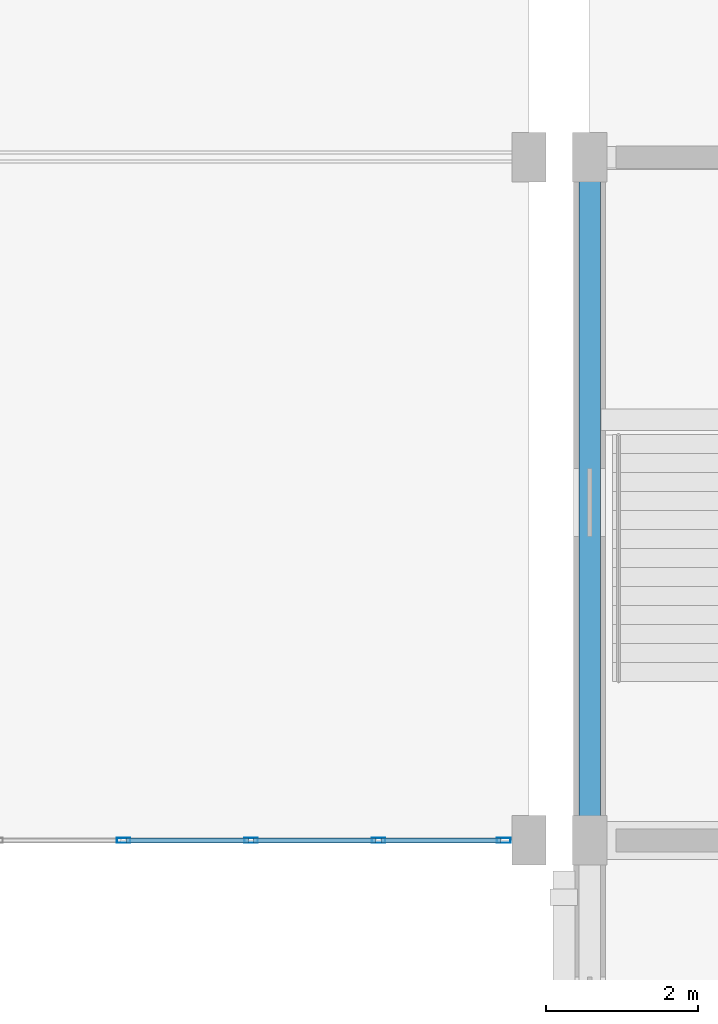
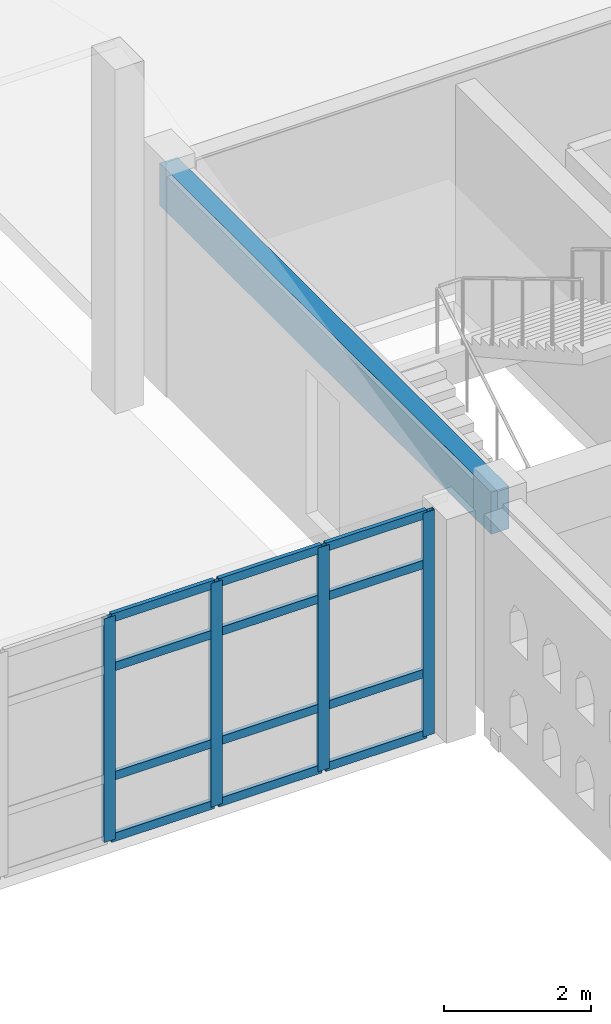
# One storey, part 49 of 156: 16 members, 1 beam, 1 element without a shape of its own.
"""IFC4 building model written with IfcOpenShell, lengths in metres."""

from ifc_helpers import new_model, si_unit, direction, frame, origin, origin_2d, place, context, subcontext, project, spatial, rectangle, hollow_rectangle, extrude, material, layer, layer_set, material_profile, profile_set, type_object, element, aggregate, save


model = new_model("IFC4")

# Units and contexts
model_context = context("Model", 3, precision=1e-05, world=origin(), true_north=direction((0.0, 1.0)))
body_context = subcontext(model_context, "Body", "Model", "MODEL_VIEW")
ifc_project = project(units=[si_unit("LENGTHUNIT", "METRE"), si_unit("AREAUNIT", "SQUARE_METRE"), si_unit("VOLUMEUNIT", "CUBIC_METRE"), si_unit("PLANEANGLEUNIT", "RADIAN"), si_unit("MASSUNIT", "GRAM", prefix="KILO")], contexts=[model_context])

# Site, building, storey
site_placement = place(None, origin())
site = spatial("IfcSite", under=ifc_project, at=site_placement, CompositionType="ELEMENT")
building_placement = place(site_placement, origin())
building = spatial("IfcBuilding", under=site, at=building_placement, Name="Ornek Quay Market", CompositionType="ELEMENT")
storey_placement = place(building_placement, frame((0.0, 0.0, 4.5)))
storey = spatial("IfcBuildingStorey", under=building, at=storey_placement, Name="L01", CompositionType="ELEMENT", Elevation=4.5)

# Beam
ifc_material_1 = material(Name="Concrete C35/45", Category="concrete")
ifc_material_profile_1 = material_profile(ifc_material_1, rectangle(XDim=0.280029296875, YDim=0.699951171875, at=origin_2d()), Name="RC 280x700", Category="concrete")
ifc_profile_set_1 = profile_set([ifc_material_profile_1], Name="Concrete C35/45")
beam_type = type_object("IfcBeamType", Name="BM-SPN-280x700", PredefinedType="SPANDREL", material=ifc_profile_set_1)
beam_placement = place(storey_placement, frame((54.800048828125, 92.0, 3.31005859375), z_axis=(0.0, 1.0, 0.0), x_axis=(-1.0, 0.0, 0.0)))
element("IfcBeam", 1, at=beam_placement, inside=storey, type_object=beam_type, Name="Primary beam B-SP2-060", PredefinedType="SPANDREL", context=body_context, shape_type="SweptSolid", body=[
    extrude(rectangle(XDim=0.280029296875, YDim=0.699951171875, at=origin_2d()), origin(), (0.0, 0.0, 1.0), 9.0),
])

# Curtain wall, members
ifc_material_2 = material(Name="Anodised bronze aluminium and triple low-e glass", Category="aluminium")
ifc_layer = layer(ifc_material_2, 0.199951171875, Name="Anodised bronze aluminium and triple low-e glass", Category="aluminium")
ifc_layer_set = layer_set([ifc_layer], Name="Anodised bronze aluminium and triple low-e glass")
curtain_wall_type = type_object("IfcCurtainWallType", Name="CW-CONC-MOD1800", PredefinedType="USERDEFINED", material=ifc_layer_set)
curtain_wall_placement = place(storey_placement, origin())
curtain_wall = element("IfcCurtainWall", 2, at=curtain_wall_placement, inside=storey, type_object=curtain_wall_type, Name="Curtain wall CW-022", ObjectType="CURTAIN WALL", PredefinedType="USERDEFINED")
ifc_material_3 = material(Name="Anodised aluminium 6063-T6", Category="aluminium")
ifc_material_profile_2 = material_profile(ifc_material_3, hollow_rectangle(XDim=0.06494140625, YDim=0.179931640625, WallThickness=0.00439453125, at=origin_2d()), Name="CW-MUL-65x180", Category="aluminium")
ifc_profile_set_2 = profile_set([ifc_material_profile_2], Name="Anodised aluminium 6063-T6")
member_type_1 = type_object("IfcMemberType", Name="CW-MUL-65x180", PredefinedType="MULLION", material=ifc_profile_set_2)
member_1_placement = place(storey_placement, frame((48.659912109375, 92.0, 0.0), z_axis=(0.0, 0.0, 1.0), x_axis=(0.0, 1.0, 0.0)))
member_1 = element("IfcMember", 3, at=member_1_placement, type_object=member_type_1, Name="CW-022 mullion 3", PredefinedType="MULLION", context=body_context, shape_type="SweptSolid", body=[
    extrude(hollow_rectangle(XDim=0.06494140625, YDim=0.179931640625, WallThickness=0.00439453125, at=origin_2d()), origin(), (0.0, 0.0, 1.0), 3.7099609375),
])
member_2_placement = place(storey_placement, frame((50.340087890625, 92.0, 0.0), z_axis=(0.0, 0.0, 1.0), x_axis=(0.0, 1.0, 0.0)))
member_2 = element("IfcMember", 4, at=member_2_placement, type_object=member_type_1, Name="CW-022 mullion 4", PredefinedType="MULLION", context=body_context, shape_type="SweptSolid", body=[
    extrude(hollow_rectangle(XDim=0.06494140625, YDim=0.179931640625, WallThickness=0.00439453125, at=origin_2d()), origin(), (0.0, 0.0, 1.0), 3.7099609375),
])
member_3_placement = place(storey_placement, frame((52.02001953125, 92.0, 0.0), z_axis=(0.0, 0.0, 1.0), x_axis=(0.0, 1.0, 0.0)))
member_3 = element("IfcMember", 5, at=member_3_placement, type_object=member_type_1, Name="CW-022 mullion 5", PredefinedType="MULLION", context=body_context, shape_type="SweptSolid", body=[
    extrude(hollow_rectangle(XDim=0.06494140625, YDim=0.179931640625, WallThickness=0.00439453125, at=origin_2d()), origin(), (0.0, 0.0, 1.0), 3.7099609375),
])
member_4_placement = place(storey_placement, frame((53.66748046875, 92.0, 0.0), z_axis=(0.0, 0.0, 1.0), x_axis=(0.0, 1.0, 0.0)))
member_4 = element("IfcMember", 6, at=member_4_placement, type_object=member_type_1, Name="CW-022 mullion 6", PredefinedType="MULLION", context=body_context, shape_type="SweptSolid", body=[
    extrude(hollow_rectangle(XDim=0.06494140625, YDim=0.179931640625, WallThickness=0.00439453125, at=origin_2d()), origin(), (0.0, 0.0, 1.0), 3.7099609375),
])
ifc_material_profile_3 = material_profile(ifc_material_3, hollow_rectangle(XDim=0.06494140625, YDim=0.139892578125, WallThickness=0.00439453125, at=origin_2d()), Name="CW-TRN-65x140", Category="aluminium")
ifc_profile_set_3 = profile_set([ifc_material_profile_3], Name="Anodised aluminium 6063-T6")
member_type_2 = type_object("IfcMemberType", Name="CW-TRN-65x140", PredefinedType="USERDEFINED", material=ifc_profile_set_3)
member_5_placement = place(storey_placement, frame((48.6923828125, 92.0, 0.032470703125), z_axis=(1.0, 0.0, 0.0), x_axis=(0.0, 1.0, 0.0)))
member_5 = element("IfcMember", 7, at=member_5_placement, type_object=member_type_2, Name="CW-022 transom 3.1", ObjectType="TRANSOM", PredefinedType="USERDEFINED", context=body_context, shape_type="SweptSolid", body=[
    extrude(hollow_rectangle(XDim=0.06494140625, YDim=0.139892578125, WallThickness=0.00439453125, at=origin_2d()), origin(), (0.0, 0.0, 1.0), 1.615234375),
])
member_6_placement = place(storey_placement, frame((48.6923828125, 92.0, 1.050048828125), z_axis=(1.0, 0.0, 0.0), x_axis=(0.0, 1.0, 0.0)))
member_6 = element("IfcMember", 8, at=member_6_placement, type_object=member_type_2, Name="CW-022 transom 3.2", ObjectType="TRANSOM", PredefinedType="USERDEFINED", context=body_context, shape_type="SweptSolid", body=[
    extrude(hollow_rectangle(XDim=0.06494140625, YDim=0.139892578125, WallThickness=0.00439453125, at=origin_2d()), origin(), (0.0, 0.0, 1.0), 1.615234375),
])
member_7_placement = place(storey_placement, frame((48.6923828125, 92.0, 2.860107421875), z_axis=(1.0, 0.0, 0.0), x_axis=(0.0, 1.0, 0.0)))
member_7 = element("IfcMember", 9, at=member_7_placement, type_object=member_type_2, Name="CW-022 transom 3.3", ObjectType="TRANSOM", PredefinedType="USERDEFINED", context=body_context, shape_type="SweptSolid", body=[
    extrude(hollow_rectangle(XDim=0.06494140625, YDim=0.139892578125, WallThickness=0.00439453125, at=origin_2d()), origin(), (0.0, 0.0, 1.0), 1.615234375),
])
member_8_placement = place(storey_placement, frame((48.6923828125, 92.0, 3.677490234375), z_axis=(1.0, 0.0, 0.0), x_axis=(0.0, 1.0, 0.0)))
member_8 = element("IfcMember", 10, at=member_8_placement, type_object=member_type_2, Name="CW-022 transom 3.4", ObjectType="TRANSOM", PredefinedType="USERDEFINED", context=body_context, shape_type="SweptSolid", body=[
    extrude(hollow_rectangle(XDim=0.06494140625, YDim=0.139892578125, WallThickness=0.00439453125, at=origin_2d()), origin(), (0.0, 0.0, 1.0), 1.615234375),
])
member_9_placement = place(storey_placement, frame((50.37255859375, 92.0, 0.032470703125), z_axis=(1.0, 0.0, 0.0), x_axis=(0.0, 1.0, 0.0)))
member_9 = element("IfcMember", 11, at=member_9_placement, type_object=member_type_2, Name="CW-022 transom 4.1", ObjectType="TRANSOM", PredefinedType="USERDEFINED", context=body_context, shape_type="SweptSolid", body=[
    extrude(hollow_rectangle(XDim=0.06494140625, YDim=0.139892578125, WallThickness=0.00439453125, at=origin_2d()), origin(), (0.0, 0.0, 1.0), 1.614990234375),
])
member_10_placement = place(storey_placement, frame((50.37255859375, 92.0, 1.050048828125), z_axis=(1.0, 0.0, 0.0), x_axis=(0.0, 1.0, 0.0)))
member_10 = element("IfcMember", 12, at=member_10_placement, type_object=member_type_2, Name="CW-022 transom 4.2", ObjectType="TRANSOM", PredefinedType="USERDEFINED", context=body_context, shape_type="SweptSolid", body=[
    extrude(hollow_rectangle(XDim=0.06494140625, YDim=0.139892578125, WallThickness=0.00439453125, at=origin_2d()), origin(), (0.0, 0.0, 1.0), 1.614990234375),
])
member_11_placement = place(storey_placement, frame((50.37255859375, 92.0, 2.860107421875), z_axis=(1.0, 0.0, 0.0), x_axis=(0.0, 1.0, 0.0)))
member_11 = element("IfcMember", 13, at=member_11_placement, type_object=member_type_2, Name="CW-022 transom 4.3", ObjectType="TRANSOM", PredefinedType="USERDEFINED", context=body_context, shape_type="SweptSolid", body=[
    extrude(hollow_rectangle(XDim=0.06494140625, YDim=0.139892578125, WallThickness=0.00439453125, at=origin_2d()), origin(), (0.0, 0.0, 1.0), 1.614990234375),
])
member_12_placement = place(storey_placement, frame((50.37255859375, 92.0, 3.677490234375), z_axis=(1.0, 0.0, 0.0), x_axis=(0.0, 1.0, 0.0)))
member_12 = element("IfcMember", 14, at=member_12_placement, type_object=member_type_2, Name="CW-022 transom 4.4", ObjectType="TRANSOM", PredefinedType="USERDEFINED", context=body_context, shape_type="SweptSolid", body=[
    extrude(hollow_rectangle(XDim=0.06494140625, YDim=0.139892578125, WallThickness=0.00439453125, at=origin_2d()), origin(), (0.0, 0.0, 1.0), 1.614990234375),
])
member_13_placement = place(storey_placement, frame((52.052490234375, 92.0, 0.032470703125), z_axis=(1.0, 0.0, 0.0), x_axis=(0.0, 1.0, 0.0)))
member_13 = element("IfcMember", 15, at=member_13_placement, type_object=member_type_2, Name="CW-022 transom 5.1", ObjectType="TRANSOM", PredefinedType="USERDEFINED", context=body_context, shape_type="SweptSolid", body=[
    extrude(hollow_rectangle(XDim=0.06494140625, YDim=0.139892578125, WallThickness=0.00439453125, at=origin_2d()), origin(), (0.0, 0.0, 1.0), 1.58251953125),
])
member_14_placement = place(storey_placement, frame((52.052490234375, 92.0, 1.050048828125), z_axis=(1.0, 0.0, 0.0), x_axis=(0.0, 1.0, 0.0)))
member_14 = element("IfcMember", 16, at=member_14_placement, type_object=member_type_2, Name="CW-022 transom 5.2", ObjectType="TRANSOM", PredefinedType="USERDEFINED", context=body_context, shape_type="SweptSolid", body=[
    extrude(hollow_rectangle(XDim=0.06494140625, YDim=0.139892578125, WallThickness=0.00439453125, at=origin_2d()), origin(), (0.0, 0.0, 1.0), 1.58251953125),
])
member_15_placement = place(storey_placement, frame((52.052490234375, 92.0, 2.860107421875), z_axis=(1.0, 0.0, 0.0), x_axis=(0.0, 1.0, 0.0)))
member_15 = element("IfcMember", 17, at=member_15_placement, type_object=member_type_2, Name="CW-022 transom 5.3", ObjectType="TRANSOM", PredefinedType="USERDEFINED", context=body_context, shape_type="SweptSolid", body=[
    extrude(hollow_rectangle(XDim=0.06494140625, YDim=0.139892578125, WallThickness=0.00439453125, at=origin_2d()), origin(), (0.0, 0.0, 1.0), 1.58251953125),
])
member_16_placement = place(storey_placement, frame((52.052490234375, 92.0, 3.677490234375), z_axis=(1.0, 0.0, 0.0), x_axis=(0.0, 1.0, 0.0)))
member_16 = element("IfcMember", 18, at=member_16_placement, type_object=member_type_2, Name="CW-022 transom 5.4", ObjectType="TRANSOM", PredefinedType="USERDEFINED", context=body_context, shape_type="SweptSolid", body=[
    extrude(hollow_rectangle(XDim=0.06494140625, YDim=0.139892578125, WallThickness=0.00439453125, at=origin_2d()), origin(), (0.0, 0.0, 1.0), 1.58251953125),
])
aggregate(curtain_wall, [member_1, member_2, member_3, member_4, member_5, member_6, member_7, member_8, member_9, member_10, member_11, member_12, member_13, member_14, member_15, member_16])

save(model, "model.ifc")
